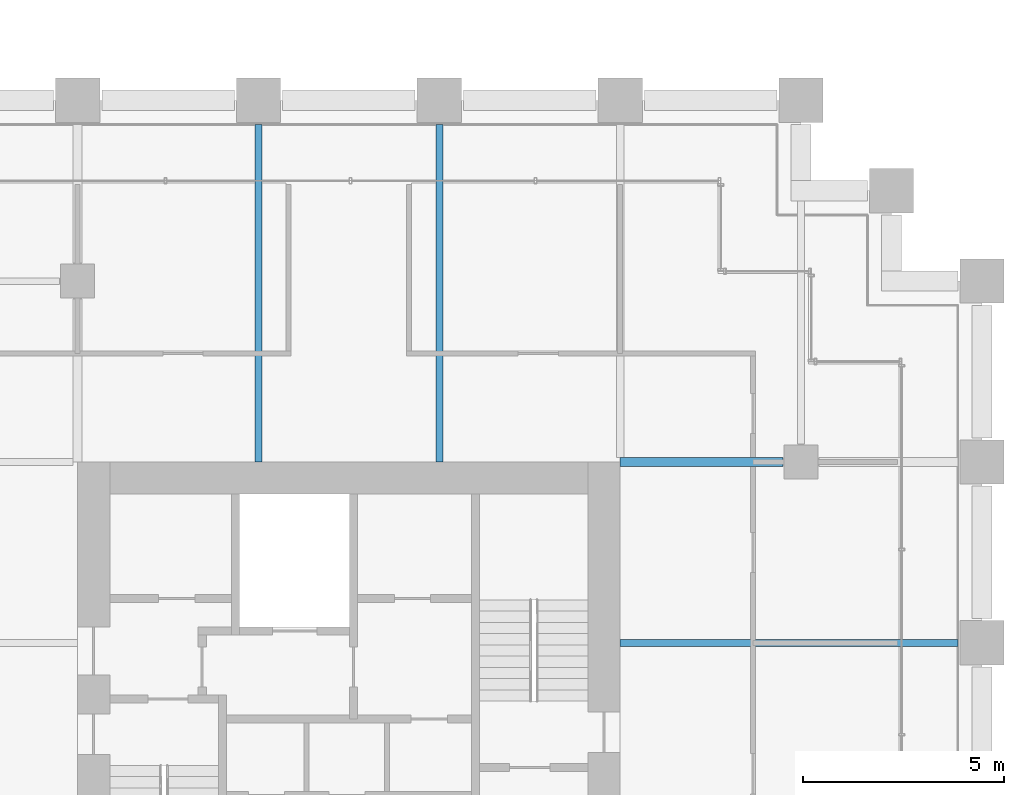
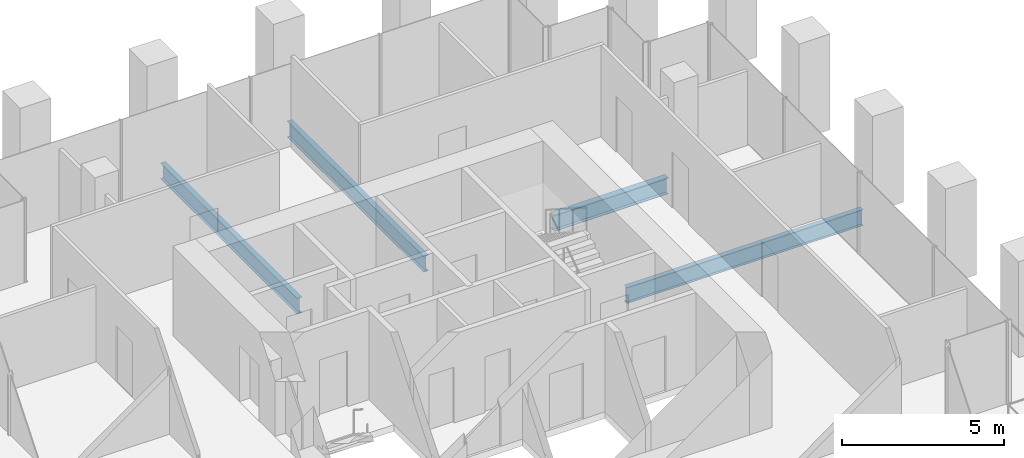
# One storey, part 42 of 55: 4 beams.
"""IFC4 building model written with IfcOpenShell, lengths in metres."""

from ifc_helpers import new_model, si_unit, direction, frame, origin, origin_2d, place, context, subcontext, project, spatial, i_section, extrude, material, material_profile, profile_set, type_object, element, save


model = new_model("IFC4")

# Units and contexts
model_context = context("Model", 3, precision=1e-05, world=origin(), true_north=direction((0.0, 1.0)))
body_context = subcontext(model_context, "Body", "Model", "MODEL_VIEW")
ifc_project = project(units=[si_unit("LENGTHUNIT", "METRE"), si_unit("AREAUNIT", "SQUARE_METRE"), si_unit("VOLUMEUNIT", "CUBIC_METRE"), si_unit("PLANEANGLEUNIT", "RADIAN"), si_unit("MASSUNIT", "GRAM", prefix="KILO")], contexts=[model_context])

# Site, building, storey
site_placement = place(None, origin())
site = spatial("IfcSite", under=ifc_project, at=site_placement, CompositionType="ELEMENT")
building_placement = place(site_placement, origin())
building = spatial("IfcBuilding", under=site, at=building_placement, Name="Altepetl Exchange Towers", CompositionType="ELEMENT")
storey_placement = place(building_placement, frame((0.0, 0.0, 47.39990234375)))
storey = spatial("IfcBuildingStorey", under=building, at=storey_placement, Name="L10", CompositionType="ELEMENT", Elevation=47.39990234375)

# Beams
ifc_material = material(Name="Steel S355", Category="steel")
ifc_material_profile_1 = material_profile(ifc_material, i_section(OverallWidth=0.177978515625, OverallDepth=0.59912109375, WebThickness=0.010009765625, FlangeThickness=0.0126953125, at=origin_2d()), Name="W24X55")
ifc_profile_set_1 = profile_set([ifc_material_profile_1], Name="Steel S355")
beam_type_1 = type_object("IfcBeamType", Name="Floor beam W24X55", PredefinedType="BEAM", material=ifc_profile_set_1)
for number, where, z_axis, x_axis, name in (
    (1, (108.0, 49.5, -0.449462890625), (0.0, 1.0, 0.0), (-1.0, 0.0, 0.0), "bm:B:L10:000"),
    (2, (112.5, 49.5, -0.449462890625), (0.0, 1.0, 0.0), (-1.0, 0.0, 0.0), "bm:B:L10:001"),
    (3, (117.0, 45.0, -0.449462890625), (1.0, 0.0, 0.0), (0.0, 1.0, 0.0), "bm:B:L10:007"),
):
    element("IfcBeam", number, at=place(storey_placement, frame(where, z_axis=z_axis, x_axis=x_axis)), inside=storey, type_object=beam_type_1, Name=name, PredefinedType="BEAM", context=body_context, shape_type="SweptSolid", body=[
        extrude(i_section(OverallWidth=0.177978515625, OverallDepth=0.59912109375, WebThickness=0.010009765625, FlangeThickness=0.0126953125, at=origin_2d()), origin(), (0.0, 0.0, 1.0), 8.39990234375),
    ])
ifc_material_profile_2 = material_profile(ifc_material, i_section(OverallWidth=0.22802734375, OverallDepth=0.60791015625, WebThickness=0.01123046875, FlangeThickness=0.017333984375, at=origin_2d()), Name="W24X76")
ifc_profile_set_2 = profile_set([ifc_material_profile_2], Name="Steel S355")
beam_type_2 = type_object("IfcBeamType", Name="Girder W24X76", PredefinedType="BEAM", material=ifc_profile_set_2)
beam_placement = place(storey_placement, frame((117.0, 49.5, -0.453857421875), z_axis=(1.0, 0.0, 0.0), x_axis=(0.0, 1.0, 0.0)))
element("IfcBeam", 4, at=beam_placement, inside=storey, type_object=beam_type_2, Name="gd:B:L10:000", PredefinedType="BEAM", context=body_context, shape_type="SweptSolid", body=[
    extrude(i_section(OverallWidth=0.22802734375, OverallDepth=0.60791015625, WebThickness=0.01123046875, FlangeThickness=0.017333984375, at=origin_2d()), origin(), (0.0, 0.0, 1.0), 4.050048828125),
])

save(model, "model.ifc")
